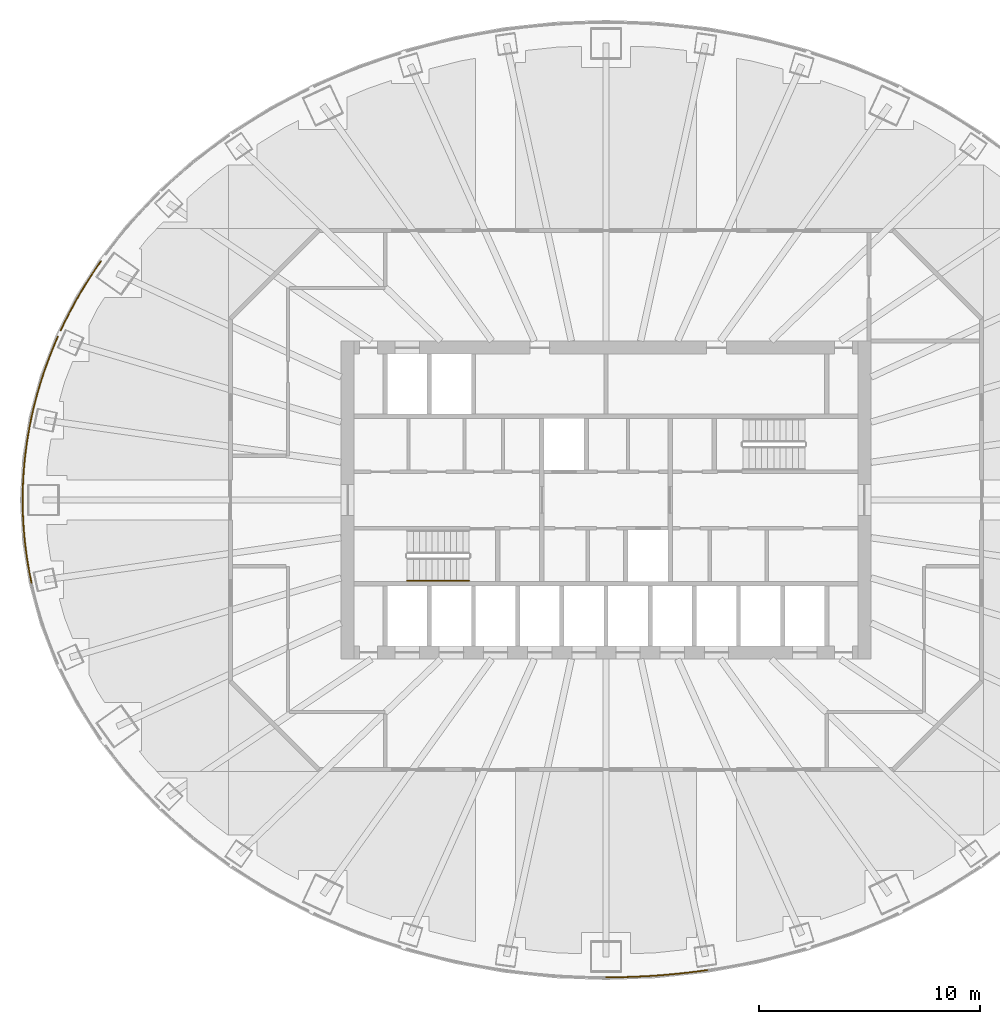
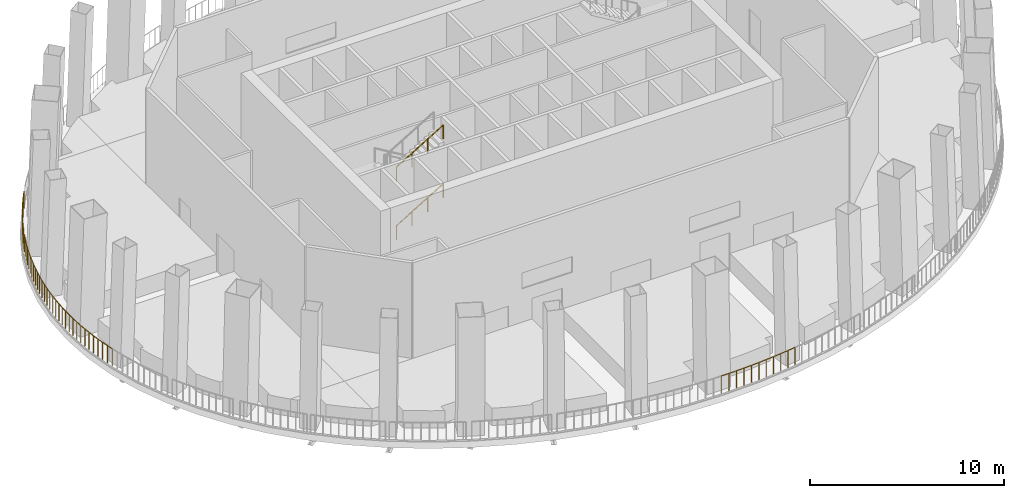
# One storey, part 9 of 13: 7 railings.
"""IFC4 building model written with IfcOpenShell, lengths in metres."""

from ifc_helpers import new_model, si_unit, direction, frame, origin, origin_2d, place, context, subcontext, project, spatial, circle, extrude, material, type_object, element, save


model = new_model("IFC4")

# Units and contexts
model_context = context("Model", 3, precision=1e-05, world=origin(), true_north=direction((0.0, 1.0)))
body_context = subcontext(model_context, "Body", "Model", "MODEL_VIEW")
ifc_project = project(units=[si_unit("LENGTHUNIT", "METRE"), si_unit("AREAUNIT", "SQUARE_METRE"), si_unit("VOLUMEUNIT", "CUBIC_METRE"), si_unit("PLANEANGLEUNIT", "RADIAN"), si_unit("MASSUNIT", "GRAM", prefix="KILO")], contexts=[model_context])

# Site, building, storey
site_placement = place(None, origin())
site = spatial("IfcSite", under=ifc_project, at=site_placement, CompositionType="ELEMENT")
building_placement = place(site_placement, origin())
building = spatial("IfcBuilding", under=site, at=building_placement, Name="Siaravel Broadcast Tower", CompositionType="ELEMENT")
storey_placement = place(building_placement, frame((0.0, 0.0, 85.199951171875)))
storey = spatial("IfcBuildingStorey", under=building, at=storey_placement, Name="L20", CompositionType="ELEMENT", Elevation=85.199951171875)

# Railings
ifc_material_1 = material(Name="Steel S355", Category="steel")
railing_type_1 = type_object("IfcRailingType", Name="Guard 1100", PredefinedType="GUARDRAIL", material=ifc_material_1)
railing_1_placement = place(storey_placement, frame((-22.87109375, 10.805419921875, 0.080078125)))
element("IfcRailing", 1, at=railing_1_placement, inside=storey, type_object=railing_type_1, Name="L20 sky garden guard 16", PredefinedType="GUARDRAIL", context=body_context, shape_type="SweptSolid", body=[
    extrude(circle(Radius=0.02392578125, at=origin_2d()), frame((0.0, 0.0, 1.076171875), z_axis=(-0.568732881, -0.822522285, 0.0), x_axis=(0.822522285, -0.568732881, 0.0)), (0.0, 0.0, 1.0), 0.399169921875),
    extrude(circle(Radius=0.02392578125, at=origin_2d()), frame((-0.22705078125, -0.328369140625, 1.076171875), z_axis=(-0.552858024, -0.833275468, 0.0), x_axis=(0.833275468, -0.552858024, 0.0)), (0.0, 0.0, 1.0), 0.39794921875),
    extrude(circle(Radius=0.02392578125, at=origin_2d()), frame((-0.447021484375, -0.659912109375, 1.076171875), z_axis=(-0.536955178, -0.843610773, 0.0), x_axis=(0.843610773, -0.536955178, 0.0)), (0.0, 0.0, 1.0), 0.396484375),
    extrude(circle(Radius=0.02392578125, at=origin_2d()), frame((-0.659912109375, -0.994384765625, 1.076171875), z_axis=(-0.520025317, -0.854150847, 0.0), x_axis=(0.854150847, -0.520025317, 0.0)), (0.0, 0.0, 1.0), 0.395263671875),
    extrude(circle(Radius=0.02392578125, at=origin_2d()), frame((-0.865478515625, -1.33203125, 1.076171875), z_axis=(-0.503793966, -0.863823848, 0.0), x_axis=(0.863823848, -0.503793966, 0.0)), (0.0, 0.0, 1.0), 0.39404296875),
    extrude(circle(Radius=0.02392578125, at=origin_2d()), frame((-1.06396484375, -1.67236328125, 1.076171875), z_axis=(-0.486539571, -0.873658541, 0.0), x_axis=(0.873658541, -0.486539571, 0.0)), (0.0, 0.0, 1.0), 0.392822265625),
    extrude(circle(Radius=0.02392578125, at=origin_2d()), frame((-1.255126953125, -2.015625, 1.076171875), z_axis=(-0.46926154, -0.883059232, 0.0), x_axis=(0.883059232, -0.46926154, 0.0)), (0.0, 0.0, 1.0), 0.391845703125),
    extrude(circle(Radius=0.02392578125, at=origin_2d()), frame((-1.43896484375, -2.361572265625, 1.076171875), z_axis=(-0.451460525, -0.892291093, 0.0), x_axis=(0.892291093, -0.451460525, 0.0)), (0.0, 0.0, 1.0), 0.390380859375),
    extrude(circle(Radius=0.02392578125, at=origin_2d()), frame((-1.615234375, -2.7099609375, 1.076171875), z_axis=(-0.433627202, -0.901092365, 0.0), x_axis=(0.901092365, -0.433627202, 0.0)), (0.0, 0.0, 1.0), 0.3896484375),
    extrude(circle(Radius=0.02392578125, at=origin_2d()), frame((-1.7841796875, -3.06103515625, 1.076171875), z_axis=(-0.42138043, -0.906883969, 0.0), x_axis=(0.906883969, -0.42138043, 0.0)), (0.0, 0.0, 1.0), 0.079833984375),
    extrude(circle(Radius=0.02099609375, at=origin_2d()), origin(), (0.0, 0.0, 1.0), 1.052001953125),
    extrude(circle(Radius=0.02099609375, at=origin_2d()), frame((-0.22705078125, -0.328369140625, 0.0)), (0.0, 0.0, 1.0), 1.052001953125),
    extrude(circle(Radius=0.02099609375, at=origin_2d()), frame((-0.447021484375, -0.659912109375, 0.0)), (0.0, 0.0, 1.0), 1.052001953125),
    extrude(circle(Radius=0.02099609375, at=origin_2d()), frame((-0.659912109375, -0.994384765625, 0.0)), (0.0, 0.0, 1.0), 1.052001953125),
    extrude(circle(Radius=0.02099609375, at=origin_2d()), frame((-0.865478515625, -1.33203125, 0.0)), (0.0, 0.0, 1.0), 1.052001953125),
    extrude(circle(Radius=0.02099609375, at=origin_2d()), frame((-1.06396484375, -1.67236328125, 0.0)), (0.0, 0.0, 1.0), 1.052001953125),
    extrude(circle(Radius=0.02099609375, at=origin_2d()), frame((-1.255126953125, -2.015625, 0.0)), (0.0, 0.0, 1.0), 1.052001953125),
    extrude(circle(Radius=0.02099609375, at=origin_2d()), frame((-1.43896484375, -2.361572265625, 0.0)), (0.0, 0.0, 1.0), 1.052001953125),
    extrude(circle(Radius=0.02099609375, at=origin_2d()), frame((-1.615234375, -2.7099609375, 0.0)), (0.0, 0.0, 1.0), 1.052001953125),
    extrude(circle(Radius=0.02099609375, at=origin_2d()), frame((-1.7841796875, -3.06103515625, 0.0)), (0.0, 0.0, 1.0), 1.052001953125),
    extrude(circle(Radius=0.02099609375, at=origin_2d()), frame((-1.81787109375, -3.133544921875, 0.0)), (0.0, 0.0, 1.0), 1.052001953125),
])
railing_2_placement = place(storey_placement, frame((-24.816650390625, 7.391357421875, 0.080078125)))
element("IfcRailing", 2, at=railing_2_placement, inside=storey, type_object=railing_type_1, Name="L20 sky garden guard 17", PredefinedType="GUARDRAIL", context=body_context, shape_type="SweptSolid", body=[
    extrude(circle(Radius=0.02392578125, at=origin_2d()), frame((0.0, 0.0, 1.076171875), z_axis=(-0.397413005, -0.917639855, 0.0), x_axis=(0.917639855, -0.397413005, 0.0)), (0.0, 0.0, 1.0), 0.3876953125),
    extrude(circle(Radius=0.02392578125, at=origin_2d()), frame((-0.154052734375, -0.355712890625, 1.076171875), z_axis=(-0.377919108, -0.925838618, 0.0), x_axis=(0.925838618, -0.377919108, 0.0)), (0.0, 0.0, 1.0), 0.38623046875),
    extrude(circle(Radius=0.02392578125, at=origin_2d()), frame((-0.300048828125, -0.71337890625, 1.076171875), z_axis=(-0.359785419, -0.933035075, 0.0), x_axis=(0.933035075, -0.359785419, 0.0)), (0.0, 0.0, 1.0), 0.385498046875),
    extrude(circle(Radius=0.02392578125, at=origin_2d()), frame((-0.438720703125, -1.072998046875, 1.076171875), z_axis=(-0.340315265, -0.940311395, 0.0), x_axis=(0.940311395, -0.340315265, 0.0)), (0.0, 0.0, 1.0), 0.384521484375),
    extrude(circle(Radius=0.02392578125, at=origin_2d()), frame((-0.569580078125, -1.4345703125, 1.076171875), z_axis=(-0.321184309, -0.947016705, 0.0), x_axis=(0.947016705, -0.321184309, 0.0)), (0.0, 0.0, 1.0), 0.3837890625),
    extrude(circle(Radius=0.02392578125, at=origin_2d()), frame((-0.69287109375, -1.798095703125, 1.076171875), z_axis=(-0.301466882, -0.953476649, 0.0), x_axis=(0.953476649, -0.301466882, 0.0)), (0.0, 0.0, 1.0), 0.383056640625),
    extrude(circle(Radius=0.02392578125, at=origin_2d()), frame((-0.808349609375, -2.163330078125, 1.076171875), z_axis=(-0.281128409, -0.959670161, 0.0), x_axis=(0.959670161, -0.281128409, 0.0)), (0.0, 0.0, 1.0), 0.382080078125),
    extrude(circle(Radius=0.02392578125, at=origin_2d()), frame((-0.915771484375, -2.530029296875, 1.076171875), z_axis=(-0.261763284, -0.965132107, 0.0), x_axis=(0.965132107, -0.261763284, 0.0)), (0.0, 0.0, 1.0), 0.38134765625),
    extrude(circle(Radius=0.02392578125, at=origin_2d()), frame((-1.015625, -2.898193359375, 1.076171875), z_axis=(-0.241630677, -0.970368289, 0.0), x_axis=(0.970368289, -0.241630677, 0.0)), (0.0, 0.0, 1.0), 0.380859375),
    extrude(circle(Radius=0.02392578125, at=origin_2d()), frame((-1.107666015625, -3.267822265625, 1.076171875), z_axis=(-0.220871747, -0.975302861, 0.0), x_axis=(0.975302861, -0.220871747, 0.0)), (0.0, 0.0, 1.0), 0.380126953125),
    extrude(circle(Radius=0.02099609375, at=origin_2d()), origin(), (0.0, 0.0, 1.0), 1.052001953125),
    extrude(circle(Radius=0.02099609375, at=origin_2d()), frame((-0.154052734375, -0.355712890625, 0.0)), (0.0, 0.0, 1.0), 1.052001953125),
    extrude(circle(Radius=0.02099609375, at=origin_2d()), frame((-0.300048828125, -0.71337890625, 0.0)), (0.0, 0.0, 1.0), 1.052001953125),
    extrude(circle(Radius=0.02099609375, at=origin_2d()), frame((-0.438720703125, -1.072998046875, 0.0)), (0.0, 0.0, 1.0), 1.052001953125),
    extrude(circle(Radius=0.02099609375, at=origin_2d()), frame((-0.569580078125, -1.4345703125, 0.0)), (0.0, 0.0, 1.0), 1.052001953125),
    extrude(circle(Radius=0.02099609375, at=origin_2d()), frame((-0.69287109375, -1.798095703125, 0.0)), (0.0, 0.0, 1.0), 1.052001953125),
    extrude(circle(Radius=0.02099609375, at=origin_2d()), frame((-0.808349609375, -2.163330078125, 0.0)), (0.0, 0.0, 1.0), 1.052001953125),
    extrude(circle(Radius=0.02099609375, at=origin_2d()), frame((-0.915771484375, -2.530029296875, 0.0)), (0.0, 0.0, 1.0), 1.052001953125),
    extrude(circle(Radius=0.02099609375, at=origin_2d()), frame((-1.015625, -2.898193359375, 0.0)), (0.0, 0.0, 1.0), 1.052001953125),
    extrude(circle(Radius=0.02099609375, at=origin_2d()), frame((-1.107666015625, -3.267822265625, 0.0)), (0.0, 0.0, 1.0), 1.052001953125),
    extrude(circle(Radius=0.02099609375, at=origin_2d()), frame((-1.191650390625, -3.638671875, 0.0)), (0.0, 0.0, 1.0), 1.052001953125),
])
railing_3_placement = place(storey_placement, frame((-26.00830078125, 3.752685546875, 0.080078125)))
element("IfcRailing", 3, at=railing_3_placement, inside=storey, type_object=railing_type_1, Name="L20 sky garden guard 18", PredefinedType="GUARDRAIL", context=body_context, shape_type="SweptSolid", body=[
    extrude(circle(Radius=0.02392578125, at=origin_2d()), frame((0.0, 0.0, 1.076171875), z_axis=(-0.199947416, -0.979806629, 0.0), x_axis=(0.979806629, -0.199947416, 0.0)), (0.0, 0.0, 1.0), 0.379638671875),
    extrude(circle(Radius=0.02392578125, at=origin_2d()), frame((-0.075927734375, -0.3720703125, 1.076171875), z_axis=(-0.179621902, -0.983735723, 0.0), x_axis=(0.983735723, -0.179621902, 0.0)), (0.0, 0.0, 1.0), 0.379150390625),
    extrude(circle(Radius=0.02392578125, at=origin_2d()), frame((-0.14404296875, -0.7451171875, 1.076171875), z_axis=(-0.158644417, -0.987335783, 0.0), x_axis=(0.987335783, -0.158644417, 0.0)), (0.0, 0.0, 1.0), 0.378662109375),
    extrude(circle(Radius=0.02392578125, at=origin_2d()), frame((-0.2041015625, -1.118896484375, 1.076171875), z_axis=(-0.137990099, -0.990433608, 0.0), x_axis=(0.990433608, -0.137990099, 0.0)), (0.0, 0.0, 1.0), 0.378662109375),
    extrude(circle(Radius=0.02392578125, at=origin_2d()), frame((-0.25634765625, -1.493896484375, 1.076171875), z_axis=(-0.116953717, -0.993137366, 0.0), x_axis=(0.993137366, -0.116953717, 0.0)), (0.0, 0.0, 1.0), 0.3779296875),
    extrude(circle(Radius=0.02392578125, at=origin_2d()), frame((-0.300537109375, -1.869140625, 1.076171875), z_axis=(-0.096303539, -0.995352012, 0.0), x_axis=(0.995352012, -0.096303539, 0.0)), (0.0, 0.0, 1.0), 0.377685546875),
    extrude(circle(Radius=0.02392578125, at=origin_2d()), frame((-0.3369140625, -2.2451171875, 1.076171875), z_axis=(-0.07437193, -0.997230573, 0.0), x_axis=(0.997230573, -0.07437193, 0.0)), (0.0, 0.0, 1.0), 0.37744140625),
    extrude(circle(Radius=0.02392578125, at=origin_2d()), frame((-0.364990234375, -2.62158203125, 1.076171875), z_axis=(-0.053034068, -0.998592704, 0.0), x_axis=(0.998592704, -0.053034068, 0.0)), (0.0, 0.0, 1.0), 0.37744140625),
    extrude(circle(Radius=0.02392578125, at=origin_2d()), frame((-0.385009765625, -2.99853515625, 1.076171875), z_axis=(-0.032366453, -0.999476069, 0.0), x_axis=(0.999476069, -0.032366453, 0.0)), (0.0, 0.0, 1.0), 0.377197265625),
    extrude(circle(Radius=0.02392578125, at=origin_2d()), frame((-0.397216796875, -3.37548828125, 1.076171875), z_axis=(-0.010355432, -0.999946381, 0.0), x_axis=(0.999946381, -0.010355432, 0.0)), (0.0, 0.0, 1.0), 0.377197265625),
    extrude(circle(Radius=0.02099609375, at=origin_2d()), origin(), (0.0, 0.0, 1.0), 1.052001953125),
    extrude(circle(Radius=0.02099609375, at=origin_2d()), frame((-0.075927734375, -0.3720703125, 0.0)), (0.0, 0.0, 1.0), 1.052001953125),
    extrude(circle(Radius=0.02099609375, at=origin_2d()), frame((-0.14404296875, -0.7451171875, 0.0)), (0.0, 0.0, 1.0), 1.052001953125),
    extrude(circle(Radius=0.02099609375, at=origin_2d()), frame((-0.2041015625, -1.118896484375, 0.0)), (0.0, 0.0, 1.0), 1.052001953125),
    extrude(circle(Radius=0.02099609375, at=origin_2d()), frame((-0.25634765625, -1.493896484375, 0.0)), (0.0, 0.0, 1.0), 1.052001953125),
    extrude(circle(Radius=0.02099609375, at=origin_2d()), frame((-0.300537109375, -1.869140625, 0.0)), (0.0, 0.0, 1.0), 1.052001953125),
    extrude(circle(Radius=0.02099609375, at=origin_2d()), frame((-0.3369140625, -2.2451171875, 0.0)), (0.0, 0.0, 1.0), 1.052001953125),
    extrude(circle(Radius=0.02099609375, at=origin_2d()), frame((-0.364990234375, -2.62158203125, 0.0)), (0.0, 0.0, 1.0), 1.052001953125),
    extrude(circle(Radius=0.02099609375, at=origin_2d()), frame((-0.385009765625, -2.99853515625, 0.0)), (0.0, 0.0, 1.0), 1.052001953125),
    extrude(circle(Radius=0.02099609375, at=origin_2d()), frame((-0.397216796875, -3.37548828125, 0.0)), (0.0, 0.0, 1.0), 1.052001953125),
    extrude(circle(Radius=0.02099609375, at=origin_2d()), frame((-0.401123046875, -3.752685546875, 0.0)), (0.0, 0.0, 1.0), 1.052001953125),
])
railing_4_placement = place(storey_placement, frame((-26.409423828125, 0.0, 0.080078125)))
element("IfcRailing", 4, at=railing_4_placement, inside=storey, type_object=railing_type_1, Name="L20 sky garden guard 19", PredefinedType="GUARDRAIL", context=body_context, shape_type="SweptSolid", body=[
    extrude(circle(Radius=0.02392578125, at=origin_2d()), frame((0.0, 0.0, 1.076171875), z_axis=(0.010355432, -0.999946381, 0.0), x_axis=(0.999946381, 0.010355432, 0.0)), (0.0, 0.0, 1.0), 0.377197265625),
    extrude(circle(Radius=0.02392578125, at=origin_2d()), frame((0.00390625, -0.377197265625, 1.076171875), z_axis=(0.032366453, -0.999476069, 0.0), x_axis=(0.999476069, 0.032366453, 0.0)), (0.0, 0.0, 1.0), 0.377197265625),
    extrude(circle(Radius=0.02392578125, at=origin_2d()), frame((0.01611328125, -0.754150390625, 1.076171875), z_axis=(0.053034068, -0.998592704, 0.0), x_axis=(0.998592704, 0.053034068, 0.0)), (0.0, 0.0, 1.0), 0.37744140625),
    extrude(circle(Radius=0.02392578125, at=origin_2d()), frame((0.0361328125, -1.131103515625, 1.076171875), z_axis=(0.07437193, -0.997230573, 0.0), x_axis=(0.997230573, 0.07437193, 0.0)), (0.0, 0.0, 1.0), 0.37744140625),
    extrude(circle(Radius=0.02392578125, at=origin_2d()), frame((0.064208984375, -1.507568359375, 1.076171875), z_axis=(0.096303539, -0.995352012, 0.0), x_axis=(0.995352012, 0.096303539, 0.0)), (0.0, 0.0, 1.0), 0.377685546875),
    extrude(circle(Radius=0.02392578125, at=origin_2d()), frame((0.1005859375, -1.883544921875, 1.076171875), z_axis=(0.116953717, -0.993137366, 0.0), x_axis=(0.993137366, 0.116953717, 0.0)), (0.0, 0.0, 1.0), 0.3779296875),
    extrude(circle(Radius=0.02392578125, at=origin_2d()), frame((0.144775390625, -2.2587890625, 1.076171875), z_axis=(0.137990099, -0.990433608, 0.0), x_axis=(0.990433608, 0.137990099, 0.0)), (0.0, 0.0, 1.0), 0.378662109375),
    extrude(circle(Radius=0.02392578125, at=origin_2d()), frame((0.197021484375, -2.6337890625, 1.076171875), z_axis=(0.158644417, -0.987335783, 0.0), x_axis=(0.987335783, 0.158644417, 0.0)), (0.0, 0.0, 1.0), 0.378662109375),
    extrude(circle(Radius=0.02392578125, at=origin_2d()), frame((0.257080078125, -3.007568359375, 1.076171875), z_axis=(0.179621902, -0.983735723, 0.0), x_axis=(0.983735723, 0.179621902, 0.0)), (0.0, 0.0, 1.0), 0.379150390625),
    extrude(circle(Radius=0.02392578125, at=origin_2d()), frame((0.3251953125, -3.380615234375, 1.076171875), z_axis=(0.199947416, -0.979806629, 0.0), x_axis=(0.979806629, 0.199947416, 0.0)), (0.0, 0.0, 1.0), 0.379638671875),
    extrude(circle(Radius=0.02099609375, at=origin_2d()), origin(), (0.0, 0.0, 1.0), 1.052001953125),
    extrude(circle(Radius=0.02099609375, at=origin_2d()), frame((0.00390625, -0.377197265625, 0.0)), (0.0, 0.0, 1.0), 1.052001953125),
    extrude(circle(Radius=0.02099609375, at=origin_2d()), frame((0.01611328125, -0.754150390625, 0.0)), (0.0, 0.0, 1.0), 1.052001953125),
    extrude(circle(Radius=0.02099609375, at=origin_2d()), frame((0.0361328125, -1.131103515625, 0.0)), (0.0, 0.0, 1.0), 1.052001953125),
    extrude(circle(Radius=0.02099609375, at=origin_2d()), frame((0.064208984375, -1.507568359375, 0.0)), (0.0, 0.0, 1.0), 1.052001953125),
    extrude(circle(Radius=0.02099609375, at=origin_2d()), frame((0.1005859375, -1.883544921875, 0.0)), (0.0, 0.0, 1.0), 1.052001953125),
    extrude(circle(Radius=0.02099609375, at=origin_2d()), frame((0.144775390625, -2.2587890625, 0.0)), (0.0, 0.0, 1.0), 1.052001953125),
    extrude(circle(Radius=0.02099609375, at=origin_2d()), frame((0.197021484375, -2.6337890625, 0.0)), (0.0, 0.0, 1.0), 1.052001953125),
    extrude(circle(Radius=0.02099609375, at=origin_2d()), frame((0.257080078125, -3.007568359375, 0.0)), (0.0, 0.0, 1.0), 1.052001953125),
    extrude(circle(Radius=0.02099609375, at=origin_2d()), frame((0.3251953125, -3.380615234375, 0.0)), (0.0, 0.0, 1.0), 1.052001953125),
    extrude(circle(Radius=0.02099609375, at=origin_2d()), frame((0.401123046875, -3.752685546875, 0.0)), (0.0, 0.0, 1.0), 1.052001953125),
])
railing_5_placement = place(storey_placement, frame((0.0, -21.610595703125, 0.080078125)))
element("IfcRailing", 5, at=railing_5_placement, inside=storey, type_object=railing_type_1, Name="L20 sky garden guard 28", PredefinedType="GUARDRAIL", context=body_context, shape_type="SweptSolid", body=[
    extrude(circle(Radius=0.02392578125, at=origin_2d()), frame((0.0, 0.0, 1.076171875), z_axis=(0.999976295, 0.00688543, 0.0), x_axis=(-0.00688543, 0.999976295, 0.0)), (0.0, 0.0, 1.0), 0.4609375),
    extrude(circle(Radius=0.02392578125, at=origin_2d()), frame((0.4609375, 0.003173828125, 1.076171875), z_axis=(0.999764039, 0.021722483, 0.0), x_axis=(-0.021722483, 0.999764039, 0.0)), (0.0, 0.0, 1.0), 0.460693359375),
    extrude(circle(Radius=0.02392578125, at=origin_2d()), frame((0.921630859375, 0.01318359375, 1.076171875), z_axis=(0.999369587, 0.035502525, 0.0), x_axis=(-0.035502525, 0.999369587, 0.0)), (0.0, 0.0, 1.0), 0.460693359375),
    extrude(circle(Radius=0.02392578125, at=origin_2d()), frame((1.382080078125, 0.029541015625, 1.076171875), z_axis=(0.998758937, 0.049805485, 0.0), x_axis=(-0.049805485, 0.998758937, 0.0)), (0.0, 0.0, 1.0), 0.460693359375),
    extrude(circle(Radius=0.02392578125, at=origin_2d()), frame((1.84228515625, 0.052490234375, 1.076171875), z_axis=(0.997905481, 0.064688878, 0.0), x_axis=(-0.064688878, 0.997905481, 0.0)), (0.0, 0.0, 1.0), 0.46044921875),
    extrude(circle(Radius=0.02392578125, at=origin_2d()), frame((2.3017578125, 0.082275390625, 1.076171875), z_axis=(0.996912373, 0.078522103, 0.0), x_axis=(-0.078522103, 0.996912373, 0.0)), (0.0, 0.0, 1.0), 0.460205078125),
    extrude(circle(Radius=0.02392578125, at=origin_2d()), frame((2.760498046875, 0.118408203125, 1.076171875), z_axis=(0.995677278, 0.092880343, 0.0), x_axis=(-0.092880343, 0.995677278, 0.0)), (0.0, 0.0, 1.0), 0.4599609375),
    extrude(circle(Radius=0.02392578125, at=origin_2d()), frame((3.218505859375, 0.1611328125, 1.076171875), z_axis=(0.994285016, 0.106758167, 0.0), x_axis=(-0.106758167, 0.994285016, 0.0)), (0.0, 0.0, 1.0), 0.459716796875),
    extrude(circle(Radius=0.02392578125, at=origin_2d()), frame((3.675537109375, 0.210205078125, 1.076171875), z_axis=(0.992561499, 0.121744287, 0.0), x_axis=(-0.121744287, 0.992561499, 0.0)), (0.0, 0.0, 1.0), 0.459228515625),
    extrude(circle(Radius=0.02392578125, at=origin_2d()), frame((4.13134765625, 0.26611328125, 1.076171875), z_axis=(0.990752295, 0.135683048, 0.0), x_axis=(-0.135683048, 0.990752295, 0.0)), (0.0, 0.0, 1.0), 0.458740234375),
    extrude(circle(Radius=0.02099609375, at=origin_2d()), origin(), (0.0, 0.0, 1.0), 1.052001953125),
    extrude(circle(Radius=0.02099609375, at=origin_2d()), frame((0.4609375, 0.003173828125, 0.0)), (0.0, 0.0, 1.0), 1.052001953125),
    extrude(circle(Radius=0.02099609375, at=origin_2d()), frame((0.921630859375, 0.01318359375, 0.0)), (0.0, 0.0, 1.0), 1.052001953125),
    extrude(circle(Radius=0.02099609375, at=origin_2d()), frame((1.382080078125, 0.029541015625, 0.0)), (0.0, 0.0, 1.0), 1.052001953125),
    extrude(circle(Radius=0.02099609375, at=origin_2d()), frame((1.84228515625, 0.052490234375, 0.0)), (0.0, 0.0, 1.0), 1.052001953125),
    extrude(circle(Radius=0.02099609375, at=origin_2d()), frame((2.3017578125, 0.082275390625, 0.0)), (0.0, 0.0, 1.0), 1.052001953125),
    extrude(circle(Radius=0.02099609375, at=origin_2d()), frame((2.760498046875, 0.118408203125, 0.0)), (0.0, 0.0, 1.0), 1.052001953125),
    extrude(circle(Radius=0.02099609375, at=origin_2d()), frame((3.218505859375, 0.1611328125, 0.0)), (0.0, 0.0, 1.0), 1.052001953125),
    extrude(circle(Radius=0.02099609375, at=origin_2d()), frame((3.675537109375, 0.210205078125, 0.0)), (0.0, 0.0, 1.0), 1.052001953125),
    extrude(circle(Radius=0.02099609375, at=origin_2d()), frame((4.13134765625, 0.26611328125, 0.0)), (0.0, 0.0, 1.0), 1.052001953125),
    extrude(circle(Radius=0.02099609375, at=origin_2d()), frame((4.5859375, 0.328369140625, 0.0)), (0.0, 0.0, 1.0), 1.052001953125),
])
ifc_material_2 = material(Name="Stainless steel 316L", Category="steel")
railing_type_2 = type_object("IfcRailingType", Name="Stair handrail 900", PredefinedType="HANDRAIL", material=ifc_material_2)
railing_6_placement = place(storey_placement, frame((-9.0, -3.64990234375, 2.018310546875)))
element("IfcRailing", 6, at=railing_6_placement, inside=storey, type_object=railing_type_2, Name="L20 ST-1 stair handrail 2", PredefinedType="HANDRAIL", context=body_context, shape_type="SweptSolid", body=[
    extrude(circle(Radius=0.02392578125, at=origin_2d()), frame((0.0, 0.0, 0.8759765625), z_axis=(0.857275203, 0.0, 0.514858453), x_axis=(0.0, 1.0, 0.0)), (0.0, 0.0, 1.0), 3.26611328125),
    extrude(circle(Radius=0.02099609375, at=origin_2d()), origin(), (0.0, 0.0, 1.0), 0.851806640625),
    extrude(circle(Radius=0.02099609375, at=origin_2d()), frame((0.933349609375, 0.0, 0.560546875)), (0.0, 0.0, 1.0), 0.851806640625),
    extrude(circle(Radius=0.02099609375, at=origin_2d()), frame((1.86669921875, 0.0, 1.12109375)), (0.0, 0.0, 1.0), 0.851806640625),
    extrude(circle(Radius=0.02099609375, at=origin_2d()), frame((2.800048828125, 0.0, 1.681640625)), (0.0, 0.0, 1.0), 0.851806640625),
])
railing_7_placement = place(storey_placement, frame((-9.0, -3.64990234375, 5.71826171875)))
element("IfcRailing", 7, at=railing_7_placement, inside=storey, type_object=railing_type_2, Name="L20 ST-1 stair handrail 4", PredefinedType="HANDRAIL", context=body_context, shape_type="SweptSolid", body=[
    extrude(circle(Radius=0.02392578125, at=origin_2d()), frame((0.0, 0.0, 0.8759765625), z_axis=(0.857242211, 0.0, 0.514913383), x_axis=(0.0, 1.0, 0.0)), (0.0, 0.0, 1.0), 3.266357421875),
    extrude(circle(Radius=0.02099609375, at=origin_2d()), origin(), (0.0, 0.0, 1.0), 0.851806640625),
    extrude(circle(Radius=0.02099609375, at=origin_2d()), frame((0.933349609375, 0.0, 0.560546875)), (0.0, 0.0, 1.0), 0.851806640625),
    extrude(circle(Radius=0.02099609375, at=origin_2d()), frame((1.86669921875, 0.0, 1.121337890625)), (0.0, 0.0, 1.0), 0.851806640625),
    extrude(circle(Radius=0.02099609375, at=origin_2d()), frame((2.800048828125, 0.0, 1.681884765625)), (0.0, 0.0, 1.0), 0.851806640625),
])

save(model, "model.ifc")
